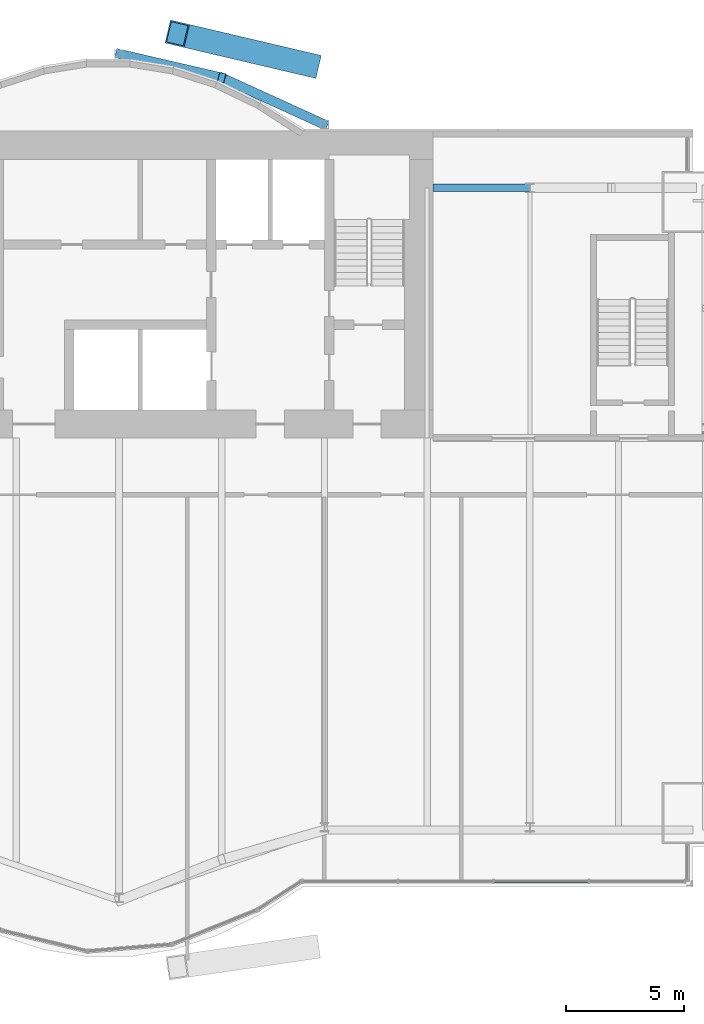
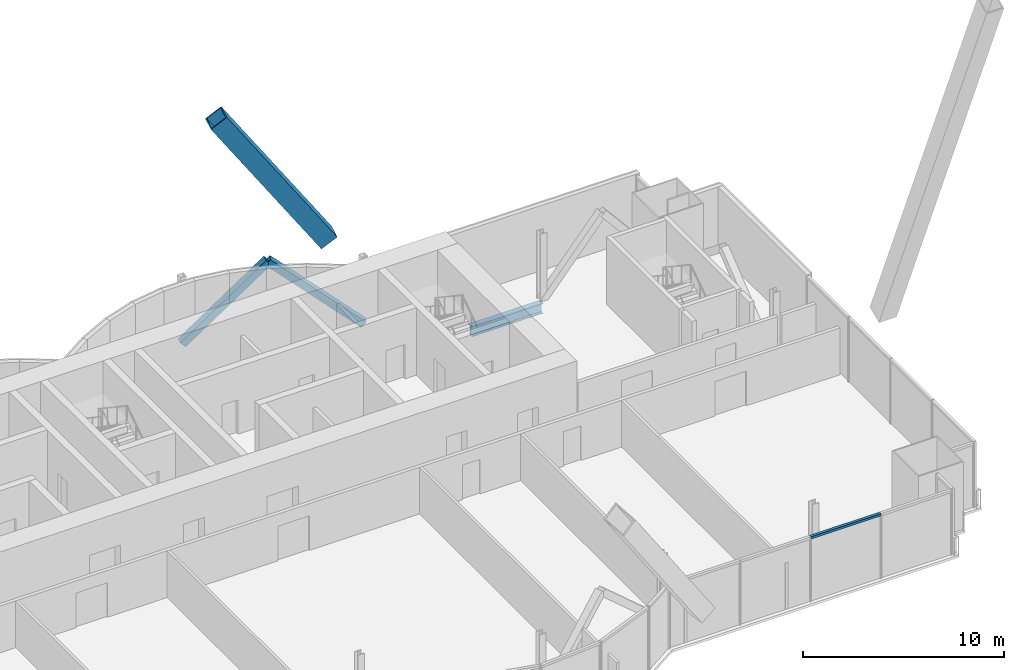
# One storey, part 13 of 24: 4 members, 1 beam, 1 element without a shape of its own.
"""IFC4 building model written with IfcOpenShell, lengths in metres."""

from ifc_helpers import new_model, si_unit, direction, frame, origin, origin_2d, place, context, subcontext, project, spatial, rectangle, hollow_rectangle, i_section, extrude, material, material_profile, profile_set, type_object, element, aggregate, save


model = new_model("IFC4")

# Units and contexts
model_context = context("Model", 3, precision=1e-05, world=origin(), true_north=direction((0.0, 1.0)))
body_context = subcontext(model_context, "Body", "Model", "MODEL_VIEW")
ifc_project = project(units=[si_unit("LENGTHUNIT", "METRE"), si_unit("AREAUNIT", "SQUARE_METRE"), si_unit("VOLUMEUNIT", "CUBIC_METRE"), si_unit("PLANEANGLEUNIT", "RADIAN"), si_unit("MASSUNIT", "GRAM", prefix="KILO")], contexts=[model_context])

# Site, building, storey
site_placement = place(None, origin())
site = spatial("IfcSite", under=ifc_project, at=site_placement, CompositionType="ELEMENT")
building_placement = place(site_placement, origin())
building = spatial("IfcBuilding", under=site, at=building_placement, Name="Bicima Exchange Tower", CompositionType="ELEMENT")
storey_placement = place(building_placement, frame((0.0, 0.0, 211.39990234375)))
storey = spatial("IfcBuildingStorey", under=building, at=storey_placement, Name="L47", CompositionType="ELEMENT", Elevation=211.39990234375)

# Member
ifc_material_1 = material(Name="Steel ASTM A572 Gr 50", Category="steel")
ifc_material_profile_1 = material_profile(ifc_material_1, hollow_rectangle(XDim=1.0, YDim=1.0, WallThickness=0.06005859375, at=origin_2d()))
ifc_profile_set_1 = profile_set([ifc_material_profile_1], Name="Steel ASTM A572 Gr 50")
member_type_1 = type_object("IfcMemberType", Name="Exo mega brace BOX 1000x1000x60", PredefinedType="BRACE", material=ifc_profile_set_1)
member_1_placement = place(storey_placement, frame((16.75, 2.8125, 3.85009765625), z_axis=(-0.54817644634, 0.128864251848, 0.826375573377), x_axis=(-0.228840031766, -0.973464041381, 0.0)))
element("IfcMember", 1, at=member_1_placement, inside=storey, type_object=member_type_1, Name="Exo mega brace rear", PredefinedType="BRACE", context=body_context, shape_type="SweptSolid", body=[
    extrude(hollow_rectangle(XDim=1.0, YDim=1.0, WallThickness=0.06005859375, at=origin_2d()), origin(), (0.0, 0.0, 1.0), 10.18505859375),
])

# Curtain wall, member
ifc_material_2 = material(Name="Anodised bronze aluminium", Category="aluminium")
curtain_wall_type = type_object("IfcCurtainWallType", Name="Front glass wall", PredefinedType="NOTDEFINED", material=ifc_material_2)
curtain_wall_placement = place(storey_placement, origin())
curtain_wall = element("IfcCurtainWall", 2, at=curtain_wall_placement, inside=storey, type_object=curtain_wall_type, Name="Front glass wall L47 run 16", PredefinedType="NOTDEFINED")
ifc_material_profile_2 = material_profile(ifc_material_2, rectangle(XDim=0.159912109375, YDim=0.139892578125, at=origin_2d()))
ifc_profile_set_2 = profile_set([ifc_material_profile_2], Name="Anodised bronze aluminium")
member_type_2 = type_object("IfcMemberType", Name="Front glass wall transom 140 x 160", PredefinedType="USERDEFINED", material=ifc_profile_set_2)
member_2_placement = place(storey_placement, frame((24.591064453125, -31.76611328125, 3.880126953125), z_axis=(1.0, 0.0, 0.0), x_axis=(0.0, 1.0, 0.0)))
member_2 = element("IfcMember", 3, at=member_2_placement, type_object=member_type_2, Name="Front glass wall transom 3.1", ObjectType="TRANSOM", PredefinedType="USERDEFINED", context=body_context, shape_type="SweptSolid", body=[
    extrude(rectangle(XDim=0.159912109375, YDim=0.139892578125, at=origin_2d()), origin(), (0.0, 0.0, 1.0), 3.989501953125),
])
aggregate(curtain_wall, [member_2])

# Members
ifc_material_profile_3 = material_profile(ifc_material_1, hollow_rectangle(XDim=0.406494140625, YDim=0.406494140625, WallThickness=0.0146484375, at=origin_2d()))
ifc_profile_set_3 = profile_set([ifc_material_profile_3], Name="Steel ASTM A572 Gr 50")
member_type_3 = type_object("IfcMemberType", Name="Mega brace HSS16x16x5/8", PredefinedType="BRACE", material=ifc_profile_set_3)
member_3_placement = place(storey_placement, frame((8.699951171875, 3.26904296875, 0.0), z_axis=(0.717605620354, -0.166050509188, 0.676364843878), x_axis=(0.225438503722, 0.974257399787, 0.0)))
element("IfcMember", 4, at=member_3_placement, inside=storey, type_object=member_type_3, Name="Mega brace rexo", PredefinedType="BRACE", context=body_context, shape_type="SweptSolid", body=[
    extrude(hollow_rectangle(XDim=0.406494140625, YDim=0.406494140625, WallThickness=0.0146484375, at=origin_2d()), origin(), (0.0, 0.0, 1.0), 6.06201171875),
])
member_4_placement = place(storey_placement, frame((17.39990234375, 0.278076171875, 0.0), z_axis=(-0.690628963585, 0.315060460011, 0.650975069565), x_axis=(-0.415045223819, -0.909800781592, 0.0)))
element("IfcMember", 5, at=member_4_placement, inside=storey, type_object=member_type_3, Name="Mega brace rexo", PredefinedType="BRACE", context=body_context, shape_type="SweptSolid", body=[
    extrude(hollow_rectangle(XDim=0.406494140625, YDim=0.406494140625, WallThickness=0.0146484375, at=origin_2d()), origin(), (0.0, 0.0, 1.0), 6.29833984375),
])

# Beam
ifc_material_3 = material(Name="Steel ASTM A992 Gr 50", Category="steel")
ifc_material_profile_4 = material_profile(ifc_material_3, i_section(OverallWidth=0.3251953125, OverallDepth=0.612060546875, WebThickness=0.0126953125, FlangeThickness=0.01904296875, at=origin_2d()))
ifc_profile_set_4 = profile_set([ifc_material_profile_4], Name="Steel ASTM A992 Gr 50")
beam_type = type_object("IfcBeamType", Name="Rear girder W24x104", PredefinedType="BEAM", material=ifc_profile_set_4)
beam_placement = place(storey_placement, frame((22.0, -2.39990234375, -0.4560546875), z_axis=(1.0, 0.0, 0.0), x_axis=(0.0, 1.0, 0.0)))
element("IfcBeam", 6, at=beam_placement, inside=storey, type_object=beam_type, Name="Rear girder", PredefinedType="BEAM", context=body_context, shape_type="SweptSolid", body=[
    extrude(i_section(OverallWidth=0.3251953125, OverallDepth=0.612060546875, WebThickness=0.0126953125, FlangeThickness=0.01904296875, at=origin_2d()), origin(), (0.0, 0.0, 1.0), 4.10009765625),
])

save(model, "model.ifc")
